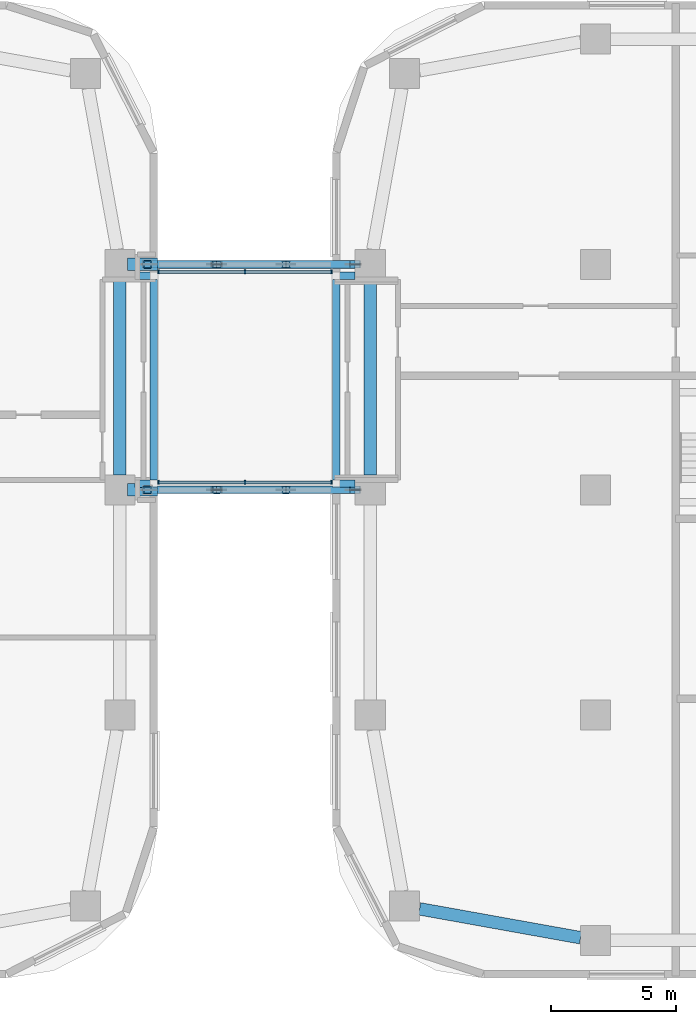
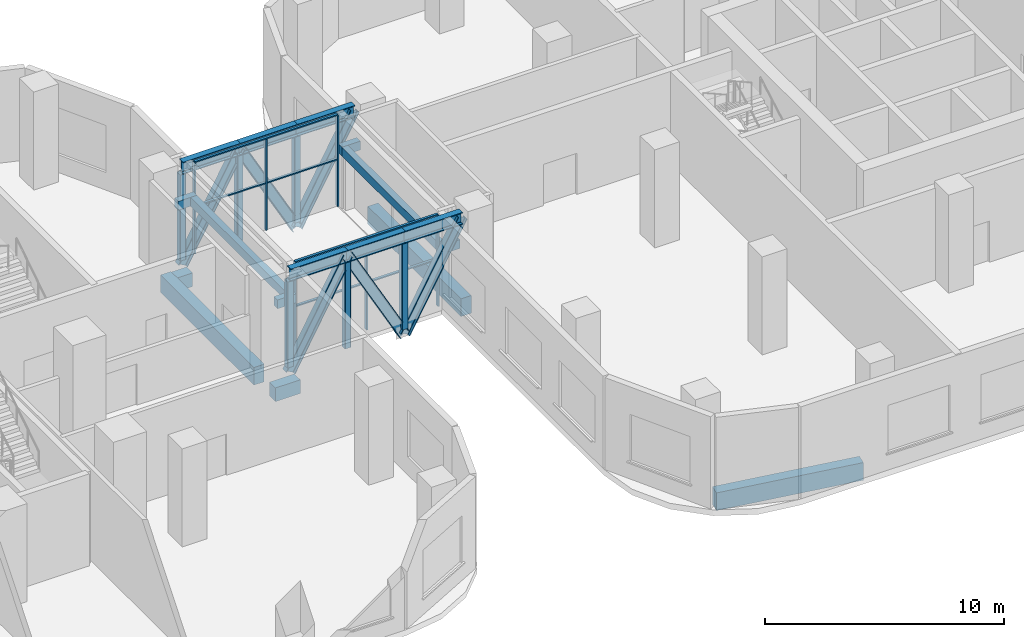
# One storey, part 2 of 35: 28 members, 11 beams, 2 elements without a shape of their own.
"""IFC4 building model written with IfcOpenShell, lengths in metres."""

from ifc_helpers import new_model, si_unit, direction, frame, origin, origin_2d, place, context, subcontext, project, spatial, rectangle, hollow_rectangle, i_section, extrude, material, material_profile, profile_set, type_object, element, aggregate, save


model = new_model("IFC4")

# Units and contexts
model_context = context("Model", 3, precision=1e-05, world=origin(), true_north=direction((0.0, 1.0)))
body_context = subcontext(model_context, "Body", "Model", "MODEL_VIEW")
ifc_project = project(units=[si_unit("LENGTHUNIT", "METRE"), si_unit("AREAUNIT", "SQUARE_METRE"), si_unit("VOLUMEUNIT", "CUBIC_METRE"), si_unit("PLANEANGLEUNIT", "RADIAN"), si_unit("MASSUNIT", "GRAM", prefix="KILO")], contexts=[model_context])

# Site, building, storey
site_placement = place(None, origin())
site = spatial("IfcSite", under=ifc_project, at=site_placement, CompositionType="ELEMENT")
building_placement = place(site_placement, origin())
building = spatial("IfcBuilding", under=site, at=building_placement, Name="Ogive Portal Towers", CompositionType="ELEMENT")
storey_placement = place(building_placement, frame((0.0, 0.0, 23.5)))
storey = spatial("IfcBuildingStorey", under=building, at=storey_placement, Name="L04", CompositionType="ELEMENT", Elevation=23.5)

# Beams
ifc_material_1 = material(Name="Concrete C40/50", Category="concrete")
ifc_material_profile_1 = material_profile(ifc_material_1, rectangle(XDim=0.300048828125, YDim=0.449951171875, at=origin_2d()), Name="RC 300x450")
ifc_profile_set_1 = profile_set([ifc_material_profile_1], Name="Concrete C40/50")
beam_type_1 = type_object("IfcBeamType", Name="BEAM RC 300x450", PredefinedType="BEAM", material=ifc_profile_set_1)
for number, where, z_axis, x_axis, name in (
    (1, (104.10009765625, 30.75, 2.925048828125), (1.0, 0.0, 0.0), (0.0, 1.0, 0.0), "Link lintel bracket L04"),
    (2, (104.10009765625, 39.050048828125, 2.925048828125), (1.0, 0.0, 0.0), (0.0, 1.0, 0.0), "Link lintel bracket L04"),
):
    element("IfcBeam", number, at=place(storey_placement, frame(where, z_axis=z_axis, x_axis=x_axis)), inside=storey, type_object=beam_type_1, Name=name, PredefinedType="BEAM", context=body_context, shape_type="SweptSolid", body=[
        extrude(rectangle(XDim=0.300048828125, YDim=0.449951171875, at=origin_2d()), origin(), (0.0, 0.0, 1.0), 0.89990234375),
    ])
beam_1_placement = place(storey_placement, frame((104.85009765625, 30.89990234375, 2.925048828125), z_axis=(0.0, 1.0, 0.0), x_axis=(-1.0, 0.0, 0.0)))
element("IfcBeam", 3, at=beam_1_placement, inside=storey, type_object=beam_type_1, Name="Link lintel beam L04", PredefinedType="BEAM", context=body_context, shape_type="SweptSolid", body=[
    extrude(rectangle(XDim=0.300048828125, YDim=0.449951171875, at=origin_2d()), origin(), (0.0, 0.0, 1.0), 8.0),
])
for number, where, z_axis, x_axis, name in (
    (4, (112.89990234375, 39.050048828125, 2.925048828125), (-1.0, 0.0, 0.0), (0.0, -1.0, 0.0), "Link lintel bracket L04"),
    (5, (112.89990234375, 30.75, 2.925048828125), (-1.0, 0.0, 0.0), (0.0, -1.0, 0.0), "Link lintel bracket L04"),
):
    element("IfcBeam", number, at=place(storey_placement, frame(where, z_axis=z_axis, x_axis=x_axis)), inside=storey, type_object=beam_type_1, Name=name, PredefinedType="BEAM", context=body_context, shape_type="SweptSolid", body=[
        extrude(rectangle(XDim=0.300048828125, YDim=0.449951171875, at=origin_2d()), origin(), (0.0, 0.0, 1.0), 0.89990234375),
    ])
beam_2_placement = place(storey_placement, frame((112.14990234375, 38.89990234375, 2.925048828125), z_axis=(0.0, -1.0, 0.0), x_axis=(1.0, 0.0, 0.0)))
element("IfcBeam", 6, at=beam_2_placement, inside=storey, type_object=beam_type_1, Name="Link lintel beam L04", PredefinedType="BEAM", context=body_context, shape_type="SweptSolid", body=[
    extrude(rectangle(XDim=0.300048828125, YDim=0.449951171875, at=origin_2d()), origin(), (0.0, 0.0, 1.0), 8.0),
])

# Members
ifc_material_2 = material(Name="Steel S355", Category="steel")
ifc_material_profile_2 = material_profile(ifc_material_2, i_section(OverallWidth=0.300048828125, OverallDepth=0.5, WebThickness=0.014404296875, FlangeThickness=0.028076171875, FilletRadius=0.027099609375, at=origin_2d()), Name="HEB 500")
ifc_profile_set_2 = profile_set([ifc_material_profile_2], Name="Steel S355")
member_type_1 = type_object("IfcMemberType", Name="BRACE HEB 500", PredefinedType="BRACE", material=ifc_profile_set_2)
for number, where, z_axis, x_axis, name in (
    (7, (104.60009765625, 30.5, -0.610107421875), (0.484147689614, 0.0, 0.874986293973), (0.0, 1.0, 0.0), "Link truss diagonal"),
    (8, (107.36669921875, 30.5, 4.389892578125), (0.484147689614, 0.0, -0.874986293973), (0.0, 1.0, 0.0), "Link truss diagonal"),
    (9, (110.13330078125, 30.5, -0.610107421875), (0.484147689614, 0.0, 0.874986293973), (0.0, 1.0, 0.0), "Link truss diagonal"),
    (10, (104.60009765625, 39.5, -0.610107421875), (0.484147689614, 0.0, 0.874986293973), (0.0, 1.0, 0.0), "Link truss diagonal"),
    (11, (107.36669921875, 39.5, 4.389892578125), (0.484147689614, 0.0, -0.874986293973), (0.0, 1.0, 0.0), "Link truss diagonal"),
    (12, (110.13330078125, 39.5, -0.610107421875), (0.484147689614, 0.0, 0.874986293973), (0.0, 1.0, 0.0), "Link truss diagonal"),
):
    element("IfcMember", number, at=place(storey_placement, frame(where, z_axis=z_axis, x_axis=x_axis)), inside=storey, type_object=member_type_1, Name=name, PredefinedType="BRACE", context=body_context, shape_type="SweptSolid", body=[
        extrude(i_section(OverallWidth=0.300048828125, OverallDepth=0.5, WebThickness=0.014404296875, FlangeThickness=0.028076171875, FilletRadius=0.027099609375, at=origin_2d()), origin(), (0.0, 0.0, 1.0), 5.71435546875),
    ])
ifc_material_profile_3 = material_profile(ifc_material_2, i_section(OverallWidth=0.304931640625, OverallDepth=0.6201171875, WebThickness=0.02099609375, FlangeThickness=0.0400390625, FilletRadius=0.027099609375, at=origin_2d()), Name="HEM 600")
ifc_profile_set_3 = profile_set([ifc_material_profile_3], Name="Steel S355")
member_type_2 = type_object("IfcMemberType", Name="CHORD HEM 600", PredefinedType="CHORD", material=ifc_profile_set_3)
for number, where, z_axis, x_axis, name in (
    (13, (104.60009765625, 30.5, 4.389892578125), (1.0, 0.0, 0.0), (0.0, 1.0, 0.0), "Link truss top chord"),
    (14, (107.36669921875, 30.5, 4.389892578125), (1.0, 0.0, 0.0), (0.0, 1.0, 0.0), "Link truss top chord"),
    (15, (110.13330078125, 30.5, 4.389892578125), (1.0, 0.0, 0.0), (0.0, 1.0, 0.0), "Link truss top chord"),
    (16, (104.60009765625, 39.5, 4.389892578125), (1.0, 0.0, 0.0), (0.0, 1.0, 0.0), "Link truss top chord"),
    (17, (107.36669921875, 39.5, 4.389892578125), (1.0, 0.0, 0.0), (0.0, 1.0, 0.0), "Link truss top chord"),
    (18, (110.13330078125, 39.5, 4.389892578125), (1.0, 0.0, 0.0), (0.0, 1.0, 0.0), "Link truss top chord"),
):
    element("IfcMember", number, at=place(storey_placement, frame(where, z_axis=z_axis, x_axis=x_axis)), inside=storey, type_object=member_type_2, Name=name, PredefinedType="CHORD", context=body_context, shape_type="SweptSolid", body=[
        extrude(i_section(OverallWidth=0.304931640625, OverallDepth=0.6201171875, WebThickness=0.02099609375, FlangeThickness=0.0400390625, FilletRadius=0.027099609375, at=origin_2d()), origin(), (0.0, 0.0, 1.0), 2.7666015625),
    ])

# Curtain wall, members
ifc_material_3 = material(Name="Glass, clear low-iron insulated glazing", Category="glass")
curtain_wall_type = type_object("IfcCurtainWallType", Name="CW LINK ENCLOSURE", PredefinedType="NOTDEFINED", material=ifc_material_3)
curtain_wall_1_placement = place(storey_placement, origin())
curtain_wall_1 = element("IfcCurtainWall", 19, at=curtain_wall_1_placement, inside=storey, type_object=curtain_wall_type, Name="A:L04:link:s", PredefinedType="NOTDEFINED")
ifc_material_4 = material(Name="Aluminium 6063 anodised", Category="aluminium")
ifc_material_profile_4 = material_profile(ifc_material_4, rectangle(XDim=0.159912109375, YDim=0.06005859375, at=origin_2d()), Name="AL 60x160")
ifc_profile_set_4 = profile_set([ifc_material_profile_4], Name="Aluminium 6063 anodised")
member_type_3 = type_object("IfcMemberType", Name="CW MULLION 60x160", PredefinedType="MULLION", material=ifc_profile_set_4)
member_1_placement = place(storey_placement, frame((105.050048828125, 30.800048828125, 0.0), z_axis=(0.0, 0.0, 1.0), x_axis=(0.0, 1.0, 0.0)))
member_1 = element("IfcMember", 20, at=member_1_placement, type_object=member_type_3, Name="mullion", PredefinedType="MULLION", context=body_context, shape_type="SweptSolid", body=[
    extrude(rectangle(XDim=0.159912109375, YDim=0.06005859375, at=origin_2d()), origin(), (0.0, 0.0, 1.0), 4.639892578125),
])
member_2_placement = place(storey_placement, frame((108.5, 30.800048828125, 0.0), z_axis=(0.0, 0.0, 1.0), x_axis=(0.0, 1.0, 0.0)))
member_2 = element("IfcMember", 21, at=member_2_placement, type_object=member_type_3, Name="mullion", PredefinedType="MULLION", context=body_context, shape_type="SweptSolid", body=[
    extrude(rectangle(XDim=0.159912109375, YDim=0.06005859375, at=origin_2d()), origin(), (0.0, 0.0, 1.0), 4.639892578125),
])
member_3_placement = place(storey_placement, frame((111.949951171875, 30.800048828125, 0.0), z_axis=(0.0, 0.0, 1.0), x_axis=(0.0, 1.0, 0.0)))
member_3 = element("IfcMember", 22, at=member_3_placement, type_object=member_type_3, Name="mullion", PredefinedType="MULLION", context=body_context, shape_type="SweptSolid", body=[
    extrude(rectangle(XDim=0.159912109375, YDim=0.06005859375, at=origin_2d()), origin(), (0.0, 0.0, 1.0), 4.639892578125),
])

curtain_wall_2_placement = place(storey_placement, origin())
curtain_wall_2 = element("IfcCurtainWall", 23, at=curtain_wall_2_placement, inside=storey, type_object=curtain_wall_type, Name="A:L04:link:n", PredefinedType="NOTDEFINED")
member_4_placement = place(storey_placement, frame((105.050048828125, 39.199951171875, 0.0), z_axis=(0.0, 0.0, 1.0), x_axis=(0.0, 1.0, 0.0)))
member_4 = element("IfcMember", 24, at=member_4_placement, type_object=member_type_3, Name="mullion", PredefinedType="MULLION", context=body_context, shape_type="SweptSolid", body=[
    extrude(rectangle(XDim=0.159912109375, YDim=0.06005859375, at=origin_2d()), origin(), (0.0, 0.0, 1.0), 4.639892578125),
])
member_5_placement = place(storey_placement, frame((108.5, 39.199951171875, 0.0), z_axis=(0.0, 0.0, 1.0), x_axis=(0.0, 1.0, 0.0)))
member_5 = element("IfcMember", 25, at=member_5_placement, type_object=member_type_3, Name="mullion", PredefinedType="MULLION", context=body_context, shape_type="SweptSolid", body=[
    extrude(rectangle(XDim=0.159912109375, YDim=0.06005859375, at=origin_2d()), origin(), (0.0, 0.0, 1.0), 4.639892578125),
])
member_6_placement = place(storey_placement, frame((111.949951171875, 39.199951171875, 0.0), z_axis=(0.0, 0.0, 1.0), x_axis=(0.0, 1.0, 0.0)))
member_6 = element("IfcMember", 26, at=member_6_placement, type_object=member_type_3, Name="mullion", PredefinedType="MULLION", context=body_context, shape_type="SweptSolid", body=[
    extrude(rectangle(XDim=0.159912109375, YDim=0.06005859375, at=origin_2d()), origin(), (0.0, 0.0, 1.0), 4.639892578125),
])

# Member
ifc_material_profile_5 = material_profile(ifc_material_4, rectangle(XDim=0.1201171875, YDim=0.06005859375, at=origin_2d()), Name="AL 120x60")
ifc_profile_set_5 = profile_set([ifc_material_profile_5], Name="Aluminium 6063 anodised")
member_type_4 = type_object("IfcMemberType", Name="CW TRANSOM 60x120", PredefinedType="USERDEFINED", material=ifc_profile_set_5)
member_7_placement = place(storey_placement, frame((105.050048828125, 30.800048828125, 2.39990234375), z_axis=(1.0, 0.0, 0.0), x_axis=(0.0, 1.0, 0.0)))
member_7 = element("IfcMember", 27, at=member_7_placement, type_object=member_type_4, Name="transom", ObjectType="TRANSOM", PredefinedType="USERDEFINED", context=body_context, shape_type="SweptSolid", body=[
    extrude(rectangle(XDim=0.1201171875, YDim=0.06005859375, at=origin_2d()), origin(), (0.0, 0.0, 1.0), 6.89990234375),
])

member_8_placement = place(storey_placement, frame((105.050048828125, 30.800048828125, 4.669921875), z_axis=(1.0, 0.0, 0.0), x_axis=(0.0, 1.0, 0.0)))
member_8 = element("IfcMember", 28, at=member_8_placement, type_object=member_type_4, Name="transom", ObjectType="TRANSOM", PredefinedType="USERDEFINED", context=body_context, shape_type="SweptSolid", body=[
    extrude(rectangle(XDim=0.1201171875, YDim=0.06005859375, at=origin_2d()), origin(), (0.0, 0.0, 1.0), 6.89990234375),
])

aggregate(curtain_wall_1, [member_7, member_8, member_1, member_2, member_3])

member_9_placement = place(storey_placement, frame((105.050048828125, 39.199951171875, 2.39990234375), z_axis=(1.0, 0.0, 0.0), x_axis=(0.0, 1.0, 0.0)))
member_9 = element("IfcMember", 29, at=member_9_placement, type_object=member_type_4, Name="transom", ObjectType="TRANSOM", PredefinedType="USERDEFINED", context=body_context, shape_type="SweptSolid", body=[
    extrude(rectangle(XDim=0.1201171875, YDim=0.06005859375, at=origin_2d()), origin(), (0.0, 0.0, 1.0), 6.89990234375),
])

member_10_placement = place(storey_placement, frame((105.050048828125, 39.199951171875, 4.669921875), z_axis=(1.0, 0.0, 0.0), x_axis=(0.0, 1.0, 0.0)))
member_10 = element("IfcMember", 30, at=member_10_placement, type_object=member_type_4, Name="transom", ObjectType="TRANSOM", PredefinedType="USERDEFINED", context=body_context, shape_type="SweptSolid", body=[
    extrude(rectangle(XDim=0.1201171875, YDim=0.06005859375, at=origin_2d()), origin(), (0.0, 0.0, 1.0), 6.89990234375),
])

aggregate(curtain_wall_2, [member_9, member_10, member_4, member_5, member_6])

# Beams
ifc_material_5 = material(Name="Concrete C50/60", Category="concrete")
ifc_material_profile_6 = material_profile(ifc_material_5, rectangle(XDim=0.5, YDim=0.89990234375, at=origin_2d()), Name="RC 500x900")
ifc_profile_set_6 = profile_set([ifc_material_profile_6], Name="Concrete C50/60")
beam_type_2 = type_object("IfcBeamType", Name="PODIUM GIRDER RC 500x900", PredefinedType="BEAM", material=ifc_profile_set_6)
beam_3_placement = place(storey_placement, frame((103.5, 31.10009765625, -0.75), z_axis=(0.0, 1.0, 0.0), x_axis=(-1.0, 0.0, 0.0)))
element("IfcBeam", 31, at=beam_3_placement, inside=storey, type_object=beam_type_2, Name="Spandrel beam L04", PredefinedType="BEAM", context=body_context, shape_type="SweptSolid", body=[
    extrude(rectangle(XDim=0.5, YDim=0.89990234375, at=origin_2d()), origin(), (0.0, 0.0, 1.0), 7.7998046875),
])
beam_4_placement = place(storey_placement, frame((115.469970703125, 13.76220703125, -0.75), z_axis=(0.984259207685, -0.176730903032, 0.0), x_axis=(0.176730903032, 0.984259207685, 0.0)))
element("IfcBeam", 32, at=beam_4_placement, inside=storey, type_object=beam_type_2, Name="Spandrel beam L04", PredefinedType="BEAM", context=body_context, shape_type="SweptSolid", body=[
    extrude(rectangle(XDim=0.5, YDim=0.89990234375, at=origin_2d()), origin(), (0.0, 0.0, 1.0), 6.53271484375),
])
beam_5_placement = place(storey_placement, frame((113.5, 38.89990234375, -0.75), z_axis=(0.0, -1.0, 0.0), x_axis=(1.0, 0.0, 0.0)))
element("IfcBeam", 33, at=beam_5_placement, inside=storey, type_object=beam_type_2, Name="Spandrel beam L04", PredefinedType="BEAM", context=body_context, shape_type="SweptSolid", body=[
    extrude(rectangle(XDim=0.5, YDim=0.89990234375, at=origin_2d()), origin(), (0.0, 0.0, 1.0), 7.7998046875),
])

# Members
ifc_material_profile_7 = material_profile(ifc_material_2, hollow_rectangle(XDim=0.300048828125, YDim=0.300048828125, WallThickness=0.01611328125, InnerFilletRadius=0.02392578125, OuterFilletRadius=0.0400390625, at=origin_2d()), Name="SHS 300x300x16")
ifc_profile_set_7 = profile_set([ifc_material_profile_7], Name="Steel S355")
member_type_5 = type_object("IfcMemberType", Name="POST SHS 300x300x16", PredefinedType="POST", material=ifc_profile_set_7)
for number, where, z_axis, x_axis, name in (
    (34, (104.60009765625, 30.5, -0.300048828125), (0.0, 0.0, 1.0), (1.0, 0.0, 0.0), "Link truss post"),
    (35, (107.36669921875, 30.5, -0.300048828125), (0.0, 0.0, 1.0), (1.0, 0.0, 0.0), "Link truss post"),
    (36, (110.13330078125, 30.5, -0.300048828125), (0.0, 0.0, 1.0), (1.0, 0.0, 0.0), "Link truss post"),
    (37, (104.60009765625, 39.5, -0.300048828125), (0.0, 0.0, 1.0), (1.0, 0.0, 0.0), "Link truss post"),
    (38, (107.36669921875, 39.5, -0.300048828125), (0.0, 0.0, 1.0), (1.0, 0.0, 0.0), "Link truss post"),
    (39, (110.13330078125, 39.5, -0.300048828125), (0.0, 0.0, 1.0), (1.0, 0.0, 0.0), "Link truss post"),
):
    element("IfcMember", number, at=place(storey_placement, frame(where, z_axis=z_axis, x_axis=x_axis)), inside=storey, type_object=member_type_5, Name=name, PredefinedType="POST", context=body_context, shape_type="SweptSolid", body=[
        extrude(hollow_rectangle(XDim=0.300048828125, YDim=0.300048828125, WallThickness=0.01611328125, InnerFilletRadius=0.02392578125, OuterFilletRadius=0.0400390625, at=origin_2d()), origin(), (0.0, 0.0, 1.0), 4.380126953125),
    ])

# Beams
ifc_material_profile_8 = material_profile(ifc_material_1, rectangle(XDim=0.5, YDim=0.699951171875, at=origin_2d()), Name="RC 500x700")
ifc_profile_set_8 = profile_set([ifc_material_profile_8], Name="Concrete C40/50")
beam_type_3 = type_object("IfcBeamType", Name="SEAT BEAM RC 500x700", PredefinedType="BEAM", material=ifc_profile_set_8)
for number, where, z_axis, x_axis, name in (
    (40, (103.800048828125, 30.5, -1.3701171875), (1.0, 0.0, 0.0), (0.0, 1.0, 0.0), "Bridge seat"),
    (41, (103.800048828125, 39.5, -1.3701171875), (1.0, 0.0, 0.0), (0.0, 1.0, 0.0), "Bridge seat"),
):
    element("IfcBeam", number, at=place(storey_placement, frame(where, z_axis=z_axis, x_axis=x_axis)), inside=storey, type_object=beam_type_3, Name=name, PredefinedType="BEAM", context=body_context, shape_type="SweptSolid", body=[
        extrude(rectangle(XDim=0.5, YDim=0.699951171875, at=origin_2d()), origin(), (0.0, 0.0, 1.0), 1.199951171875),
    ])

save(model, "model.ifc")
